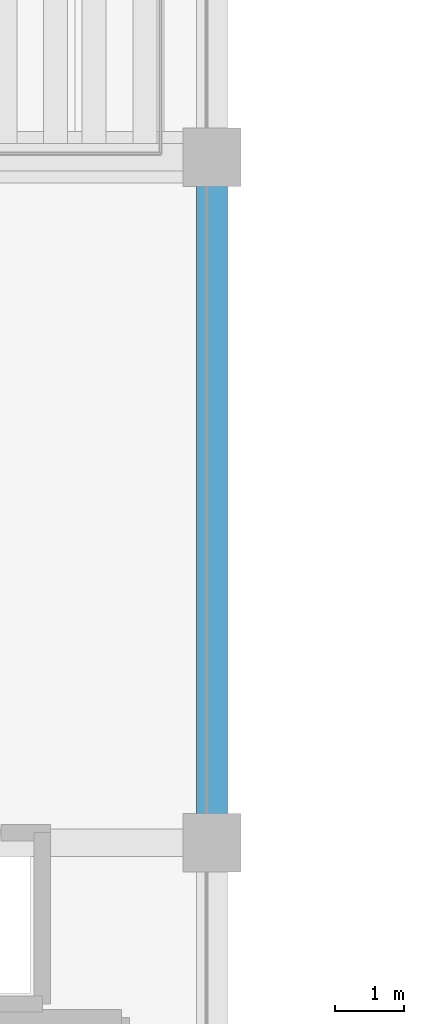
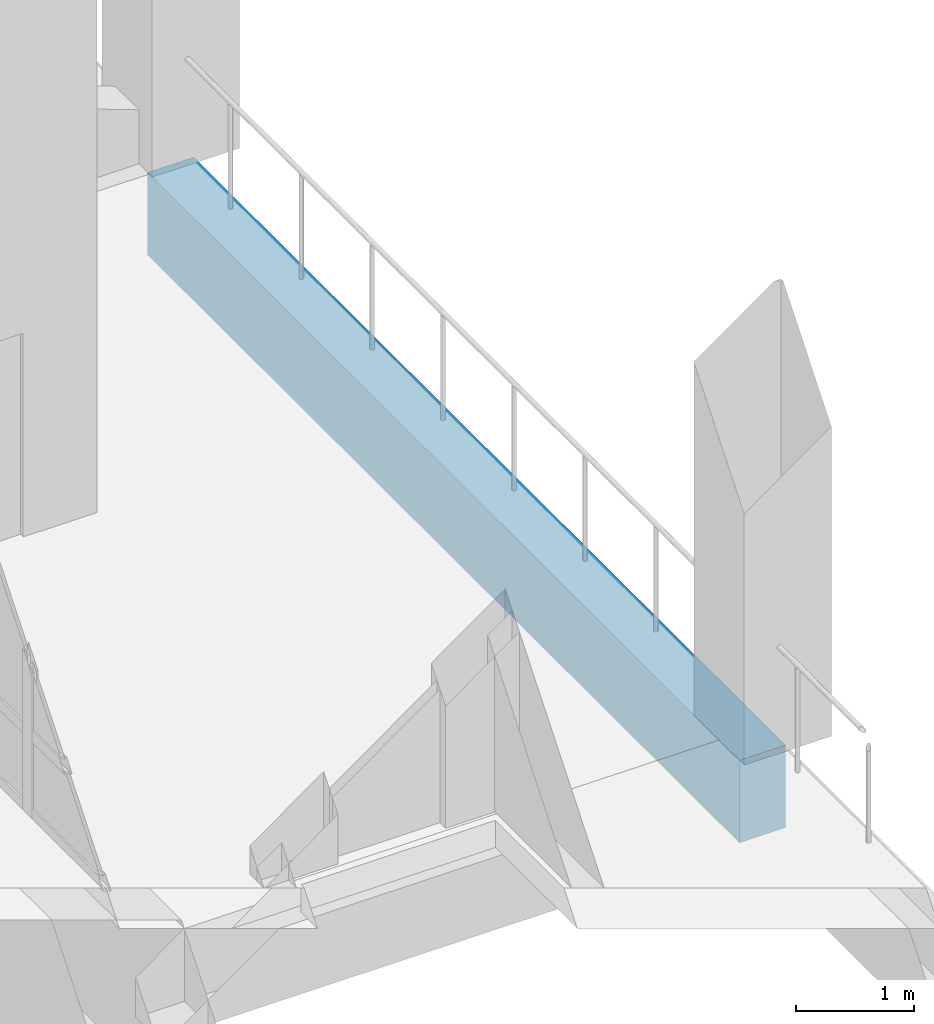
# One storey, part 101 of 161: 1 beam.
"""IFC4 building model written with IfcOpenShell, lengths in metres."""

from ifc_helpers import new_model, si_unit, direction, frame, origin, origin_2d, place, context, subcontext, project, spatial, rectangle, extrude, material, material_profile, profile_set, type_object, element, save


model = new_model("IFC4")

# Units and contexts
model_context = context("Model", 3, precision=1e-05, world=origin(), true_north=direction((0.0, 1.0)))
body_context = subcontext(model_context, "Body", "Model", "MODEL_VIEW")
ifc_project = project(units=[si_unit("LENGTHUNIT", "METRE"), si_unit("AREAUNIT", "SQUARE_METRE"), si_unit("VOLUMEUNIT", "CUBIC_METRE"), si_unit("PLANEANGLEUNIT", "RADIAN"), si_unit("MASSUNIT", "GRAM", prefix="KILO")], contexts=[model_context])

# Site, building, storey
site_placement = place(None, origin())
site = spatial("IfcSite", under=ifc_project, at=site_placement, CompositionType="ELEMENT")
building_placement = place(site_placement, origin())
building = spatial("IfcBuilding", under=site, at=building_placement, Name="Mersad Railyard Sports Hall", CompositionType="ELEMENT")
storey_placement = place(building_placement, frame((0.0, 0.0, 4.800048828125)))
storey = spatial("IfcBuildingStorey", under=building, at=storey_placement, Name="L01", CompositionType="ELEMENT", Elevation=4.800048828125)

# Beam
ifc_material = material(Name="Concrete C40/50", Category="concrete")
ifc_material_profile = material_profile(ifc_material, rectangle(XDim=0.449951171875, YDim=0.85009765625, at=origin_2d()), Name="RC 450x850")
ifc_profile_set = profile_set([ifc_material_profile], Name="Concrete C40/50")
beam_type = type_object("IfcBeamType", Name="STR-BM-B02", PredefinedType="BEAM", material=ifc_profile_set)
beam_placement = place(storey_placement, frame((137.0, 23.5, -0.705078125), z_axis=(0.0, 1.0, 0.0), x_axis=(-1.0, 0.0, 0.0)))
element("IfcBeam", 1, at=beam_placement, inside=storey, type_object=beam_type, Name="Beam B02-0637", PredefinedType="BEAM", context=body_context, shape_type="SweptSolid", body=[
    extrude(rectangle(XDim=0.449951171875, YDim=0.85009765625, at=origin_2d()), origin(), (0.0, 0.0, 1.0), 10.0),
])

save(model, "model.ifc")
